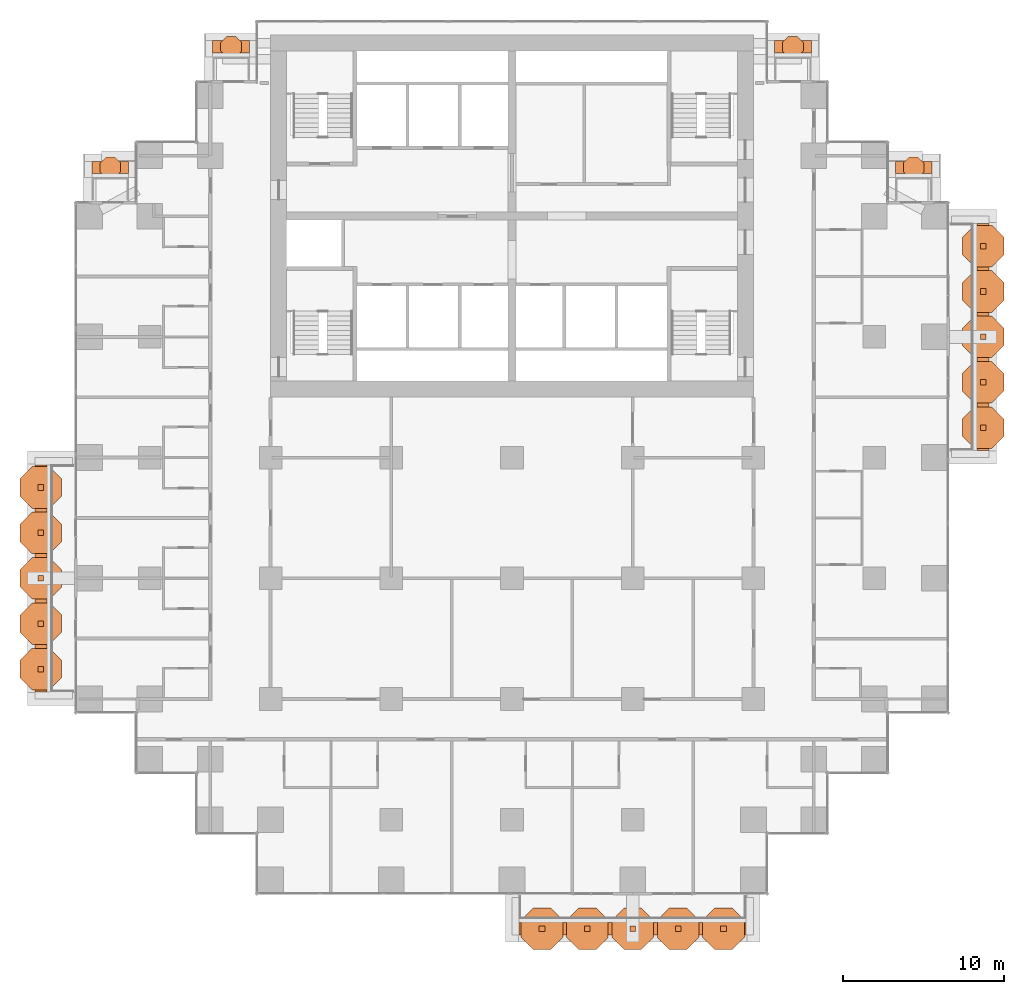
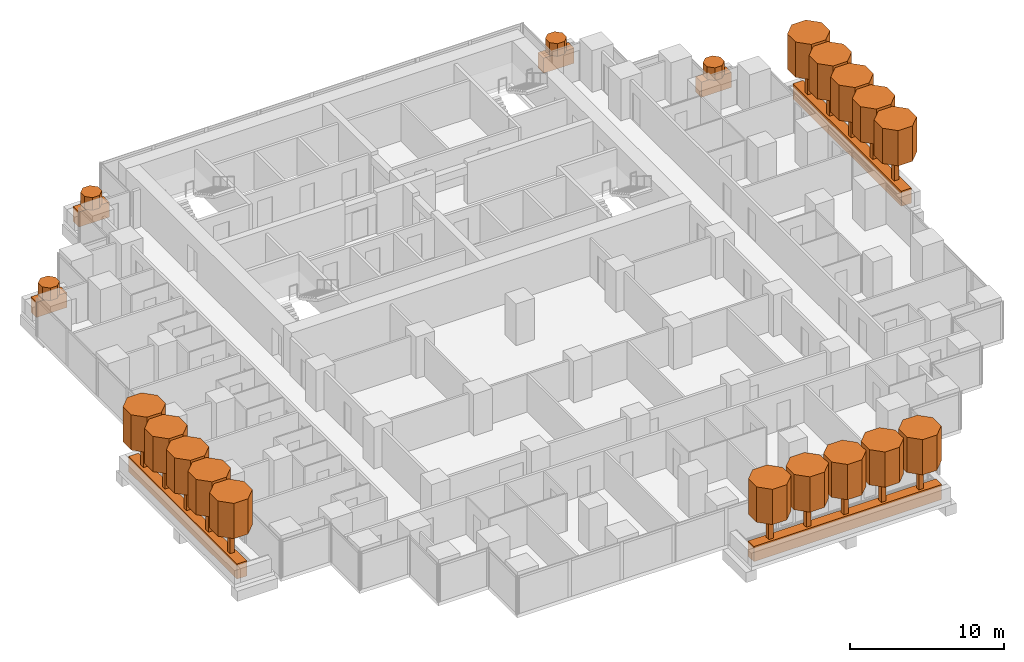
# One storey, part 18 of 18: 41 geographic elements.
"""IFC4 building model written with IfcOpenShell, lengths in metres."""

from ifc_helpers import new_model, si_unit, direction, frame, origin, origin_2d, place, context, subcontext, project, spatial, polyline, rectangle, outline, extrude, material, material_profile, profile_set, type_object, element, save


model = new_model("IFC4")

# Units and contexts
model_context = context("Model", 3, precision=1e-05, world=origin(), true_north=direction((0.0, 1.0)))
body_context = subcontext(model_context, "Body", "Model", "MODEL_VIEW")
ifc_project = project(units=[si_unit("LENGTHUNIT", "METRE"), si_unit("AREAUNIT", "SQUARE_METRE"), si_unit("VOLUMEUNIT", "CUBIC_METRE"), si_unit("PLANEANGLEUNIT", "RADIAN"), si_unit("MASSUNIT", "GRAM", prefix="KILO")], contexts=[model_context])

# Site, building, storey
site_placement = place(None, origin())
site = spatial("IfcSite", under=ifc_project, at=site_placement, CompositionType="ELEMENT")
building_placement = place(site_placement, origin())
building = spatial("IfcBuilding", under=site, at=building_placement, Name="Pilkhan Gate Tower", CompositionType="ELEMENT")
storey_placement = place(building_placement, frame((0.0, 0.0, 52.699951171875)))
storey = spatial("IfcBuildingStorey", under=building, at=storey_placement, Name="L10", CompositionType="ELEMENT", Elevation=52.699951171875)

# Geographic elements
ifc_material_1 = material(Name="Foliage")
ifc_material_profile_1 = material_profile(ifc_material_1, rectangle(XDim=0.75, YDim=1.199951171875, at=origin_2d()), Name="Bed 750x1200")
ifc_profile_set_1 = profile_set([ifc_material_profile_1], Name="Foliage")
geographic_element_type_1 = type_object("IfcGeographicElementType", Name="Planting bed PB1", PredefinedType="USERDEFINED", material=ifc_profile_set_1)
for number, where, z_axis, x_axis, name in (
    (1, (75.449951171875, 38.22509765625, 0.60009765625), (1.0, 0.0, 0.0), (0.0, 1.0, 0.0), "Balcony L10 S planting bed"),
    (2, (104.27490234375, 67.949951171875, 0.60009765625), (0.0, 1.0, 0.0), (-1.0, 0.0, 0.0), "Balcony L10 E planting bed"),
):
    element("IfcGeographicElement", number, at=place(storey_placement, frame(where, z_axis=z_axis, x_axis=x_axis)), inside=storey, type_object=geographic_element_type_1, Name=name, ObjectType="PLANTING BED", PredefinedType="USERDEFINED", context=body_context, shape_type="SweptSolid", body=[
        extrude(rectangle(XDim=0.75, YDim=1.199951171875, at=origin_2d()), origin(), (0.0, 0.0, 1.0), 14.10009765625),
    ])
for number, where, z_axis, x_axis, name in (
    (3, (56.39990234375, 93.02490234375, 0.60009765625), (1.0, 0.0, 0.0), (0.0, 1.0, 0.0), "Balcony L10 N planting bed"),
    (4, (91.300048828125, 93.02490234375, 0.60009765625), (1.0, 0.0, 0.0), (0.0, 1.0, 0.0), "Balcony L10 N planting bed"),
):
    element("IfcGeographicElement", number, at=place(storey_placement, frame(where, z_axis=z_axis, x_axis=x_axis)), inside=storey, type_object=geographic_element_type_1, Name=name, ObjectType="PLANTING BED", PredefinedType="USERDEFINED", context=body_context, shape_type="SweptSolid", body=[
        extrude(rectangle(XDim=0.75, YDim=1.199951171875, at=origin_2d()), origin(), (0.0, 0.0, 1.0), 2.300048828125),
    ])
for number, where, z_axis, x_axis, name in (
    (5, (48.89990234375, 85.52490234375, 0.60009765625), (1.0, 0.0, 0.0), (0.0, 1.0, 0.0), "Balcony L10 N planting bed"),
    (6, (98.820068359375, 85.52490234375, 0.60009765625), (1.0, 0.0, 0.0), (0.0, 1.0, 0.0), "Balcony L10 N planting bed"),
):
    element("IfcGeographicElement", number, at=place(storey_placement, frame(where, z_axis=z_axis, x_axis=x_axis)), inside=storey, type_object=geographic_element_type_1, Name=name, ObjectType="PLANTING BED", PredefinedType="USERDEFINED", context=body_context, shape_type="SweptSolid", body=[
        extrude(rectangle(XDim=0.75, YDim=1.199951171875, at=origin_2d()), origin(), (0.0, 0.0, 1.0), 2.280029296875),
    ])
geographic_element_placement = place(storey_placement, frame((45.72509765625, 52.949951171875, 0.60009765625), z_axis=(0.0, 1.0, 0.0), x_axis=(-1.0, 0.0, 0.0)))
element("IfcGeographicElement", 7, at=geographic_element_placement, inside=storey, type_object=geographic_element_type_1, Name="Balcony L10 W planting bed", ObjectType="PLANTING BED", PredefinedType="USERDEFINED", context=body_context, shape_type="SweptSolid", body=[
    extrude(rectangle(XDim=0.75, YDim=1.199951171875, at=origin_2d()), origin(), (0.0, 0.0, 1.0), 14.10009765625),
])
ifc_material_profile_2 = material_profile(ifc_material_1, outline(polyline([(0.646728515625, 0.267822265625), (0.267822265625, 0.646728515625), (-0.267822265625, 0.646728515625), (-0.646728515625, 0.267822265625), (-0.646728515625, -0.267822265625), (-0.267822265625, -0.646728515625), (0.267822265625, -0.646728515625), (0.646728515625, -0.267822265625), (0.646728515625, 0.267822265625)])), Name="Shrub D1.4")
ifc_profile_set_2 = profile_set([ifc_material_profile_2], Name="Foliage")
geographic_element_type_2 = type_object("IfcGeographicElementType", Name="Shrub SH07", PredefinedType="USERDEFINED", material=ifc_profile_set_2)
for number, where, z_axis, x_axis, name in (
    (8, (57.550048828125, 93.02490234375, 1.199951171875), (0.0, 0.0, 1.0), (1.0, 0.0, 0.0), "Shrub L10 N 1"),
    (9, (92.449951171875, 93.02490234375, 1.199951171875), (0.0, 0.0, 1.0), (1.0, 0.0, 0.0), "Shrub L10 N 1"),
    (10, (50.0400390625, 85.52490234375, 1.199951171875), (0.0, 0.0, 1.0), (1.0, 0.0, 0.0), "Shrub L10 N 1"),
    (11, (99.9599609375, 85.52490234375, 1.199951171875), (0.0, 0.0, 1.0), (1.0, 0.0, 0.0), "Shrub L10 N 1"),
):
    element("IfcGeographicElement", number, at=place(storey_placement, frame(where, z_axis=z_axis, x_axis=x_axis)), inside=storey, type_object=geographic_element_type_2, Name=name, ObjectType="SHRUB", PredefinedType="USERDEFINED", context=body_context, shape_type="SweptSolid", body=[
        extrude(outline(polyline([(0.646728515625, 0.267822265625), (0.267822265625, 0.646728515625), (-0.267822265625, 0.646728515625), (-0.646728515625, 0.267822265625), (-0.646728515625, -0.267822265625), (-0.267822265625, -0.646728515625), (0.267822265625, -0.646728515625), (0.646728515625, -0.267822265625), (0.646728515625, 0.267822265625)])), origin(), (0.0, 0.0, 1.0), 1.0),
    ])
ifc_material_profile_3 = material_profile(ifc_material_1, outline(polyline([(1.29345703125, 0.535888671875), (0.535888671875, 1.29345703125), (-0.535888671875, 1.29345703125), (-1.29345703125, 0.535888671875), (-1.29345703125, -0.535888671875), (-0.535888671875, -1.29345703125), (0.535888671875, -1.29345703125), (1.29345703125, -0.535888671875), (1.29345703125, 0.535888671875)])), Name="Canopy D2.8")
ifc_profile_set_3 = profile_set([ifc_material_profile_3], Name="Foliage")
geographic_element_type_3 = type_object("IfcGeographicElementType", Name="Tree canopy TC14", PredefinedType="USERDEFINED", material=ifc_profile_set_3)
for number, where, z_axis, x_axis, name in (
    (12, (76.860107421875, 38.22509765625, 3.199951171875), (0.0, 0.0, 1.0), (1.0, 0.0, 0.0), "Tree L10 S 1 canopy"),
    (13, (79.679931640625, 38.22509765625, 3.199951171875), (0.0, 0.0, 1.0), (1.0, 0.0, 0.0), "Tree L10 S 2 canopy"),
    (14, (82.5, 38.22509765625, 3.199951171875), (0.0, 0.0, 1.0), (1.0, 0.0, 0.0), "Tree L10 S 3 canopy"),
    (15, (85.320068359375, 38.22509765625, 3.199951171875), (0.0, 0.0, 1.0), (1.0, 0.0, 0.0), "Tree L10 S 4 canopy"),
    (16, (88.139892578125, 38.22509765625, 3.199951171875), (0.0, 0.0, 1.0), (1.0, 0.0, 0.0), "Tree L10 S 5 canopy"),
    (17, (104.27490234375, 69.360107421875, 3.199951171875), (0.0, 0.0, 1.0), (1.0, 0.0, 0.0), "Tree L10 E 1 canopy"),
    (18, (104.27490234375, 72.179931640625, 3.199951171875), (0.0, 0.0, 1.0), (1.0, 0.0, 0.0), "Tree L10 E 2 canopy"),
    (19, (104.27490234375, 75.0, 3.199951171875), (0.0, 0.0, 1.0), (1.0, 0.0, 0.0), "Tree L10 E 3 canopy"),
    (20, (104.27490234375, 77.820068359375, 3.199951171875), (0.0, 0.0, 1.0), (1.0, 0.0, 0.0), "Tree L10 E 4 canopy"),
    (21, (104.27490234375, 80.639892578125, 3.199951171875), (0.0, 0.0, 1.0), (1.0, 0.0, 0.0), "Tree L10 E 5 canopy"),
    (22, (45.72509765625, 54.360107421875, 3.199951171875), (0.0, 0.0, 1.0), (1.0, 0.0, 0.0), "Tree L10 W 1 canopy"),
    (23, (45.72509765625, 57.179931640625, 3.199951171875), (0.0, 0.0, 1.0), (1.0, 0.0, 0.0), "Tree L10 W 2 canopy"),
    (24, (45.72509765625, 60.0, 3.199951171875), (0.0, 0.0, 1.0), (1.0, 0.0, 0.0), "Tree L10 W 3 canopy"),
    (25, (45.72509765625, 62.820068359375, 3.199951171875), (0.0, 0.0, 1.0), (1.0, 0.0, 0.0), "Tree L10 W 4 canopy"),
    (26, (45.72509765625, 65.639892578125, 3.199951171875), (0.0, 0.0, 1.0), (1.0, 0.0, 0.0), "Tree L10 W 5 canopy"),
):
    element("IfcGeographicElement", number, at=place(storey_placement, frame(where, z_axis=z_axis, x_axis=x_axis)), inside=storey, type_object=geographic_element_type_3, Name=name, ObjectType="TREE", PredefinedType="USERDEFINED", context=body_context, shape_type="SweptSolid", body=[
        extrude(outline(polyline([(1.29345703125, 0.535888671875), (0.535888671875, 1.29345703125), (-0.535888671875, 1.29345703125), (-1.29345703125, 0.535888671875), (-1.29345703125, -0.535888671875), (-0.535888671875, -1.29345703125), (0.535888671875, -1.29345703125), (1.29345703125, -0.535888671875), (1.29345703125, 0.535888671875)])), origin(), (0.0, 0.0, 1.0), 2.800048828125),
    ])
ifc_material_2 = material(Name="Timber trunk", Category="wood")
geographic_element_type_4 = type_object("IfcGeographicElementType", Name="Tree trunk TT1", PredefinedType="USERDEFINED", material=ifc_material_2)
for number, where, z_axis, x_axis, name in (
    (27, (76.860107421875, 38.22509765625, 1.199951171875), (0.0, 0.0, 1.0), (1.0, 0.0, 0.0), "Tree L10 S 1 trunk"),
    (28, (79.679931640625, 38.22509765625, 1.199951171875), (0.0, 0.0, 1.0), (1.0, 0.0, 0.0), "Tree L10 S 2 trunk"),
    (29, (82.5, 38.22509765625, 1.199951171875), (0.0, 0.0, 1.0), (1.0, 0.0, 0.0), "Tree L10 S 3 trunk"),
    (30, (85.320068359375, 38.22509765625, 1.199951171875), (0.0, 0.0, 1.0), (1.0, 0.0, 0.0), "Tree L10 S 4 trunk"),
    (31, (88.139892578125, 38.22509765625, 1.199951171875), (0.0, 0.0, 1.0), (1.0, 0.0, 0.0), "Tree L10 S 5 trunk"),
    (32, (104.27490234375, 69.360107421875, 1.199951171875), (0.0, 0.0, 1.0), (1.0, 0.0, 0.0), "Tree L10 E 1 trunk"),
    (33, (104.27490234375, 72.179931640625, 1.199951171875), (0.0, 0.0, 1.0), (1.0, 0.0, 0.0), "Tree L10 E 2 trunk"),
    (34, (104.27490234375, 75.0, 1.199951171875), (0.0, 0.0, 1.0), (1.0, 0.0, 0.0), "Tree L10 E 3 trunk"),
    (35, (104.27490234375, 77.820068359375, 1.199951171875), (0.0, 0.0, 1.0), (1.0, 0.0, 0.0), "Tree L10 E 4 trunk"),
    (36, (104.27490234375, 80.639892578125, 1.199951171875), (0.0, 0.0, 1.0), (1.0, 0.0, 0.0), "Tree L10 E 5 trunk"),
    (37, (45.72509765625, 54.360107421875, 1.199951171875), (0.0, 0.0, 1.0), (1.0, 0.0, 0.0), "Tree L10 W 1 trunk"),
    (38, (45.72509765625, 57.179931640625, 1.199951171875), (0.0, 0.0, 1.0), (1.0, 0.0, 0.0), "Tree L10 W 2 trunk"),
    (39, (45.72509765625, 60.0, 1.199951171875), (0.0, 0.0, 1.0), (1.0, 0.0, 0.0), "Tree L10 W 3 trunk"),
    (40, (45.72509765625, 62.820068359375, 1.199951171875), (0.0, 0.0, 1.0), (1.0, 0.0, 0.0), "Tree L10 W 4 trunk"),
    (41, (45.72509765625, 65.639892578125, 1.199951171875), (0.0, 0.0, 1.0), (1.0, 0.0, 0.0), "Tree L10 W 5 trunk"),
):
    element("IfcGeographicElement", number, at=place(storey_placement, frame(where, z_axis=z_axis, x_axis=x_axis)), inside=storey, type_object=geographic_element_type_4, Name=name, ObjectType="TREE", PredefinedType="USERDEFINED", context=body_context, shape_type="SweptSolid", body=[
        extrude(rectangle(XDim=0.35009765625, YDim=0.35009765625, at=origin_2d()), origin(), (0.0, 0.0, 1.0), 2.0),
    ])

save(model, "model.ifc")
